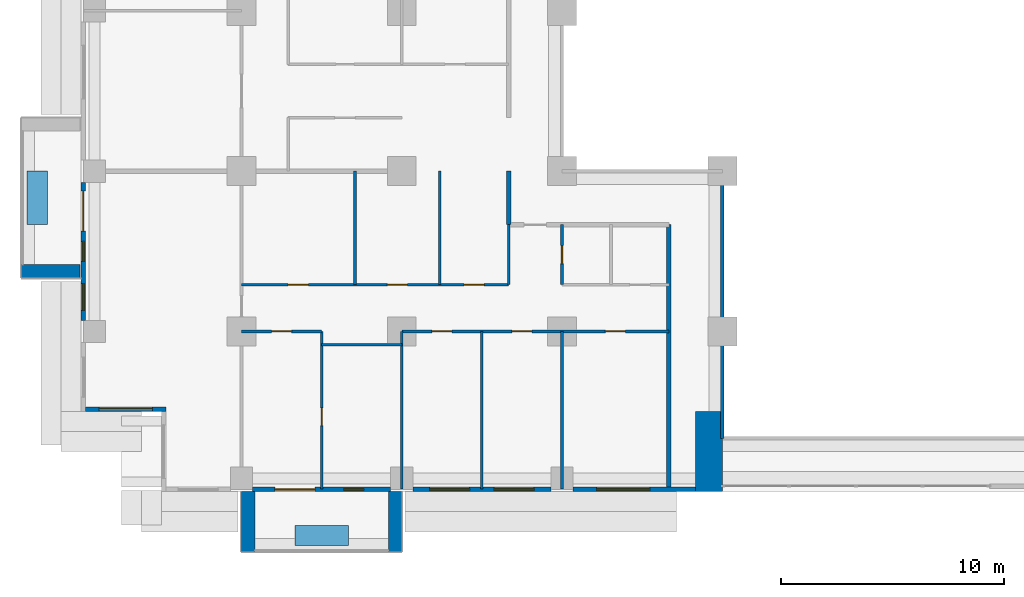
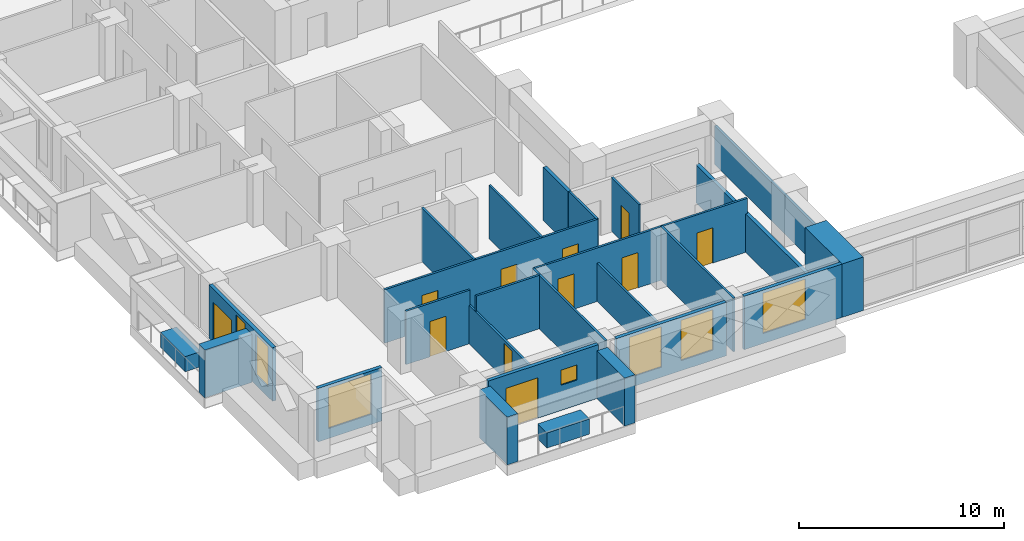
# One storey, part 6 of 17: 26 walls, 11 doors, 7 windows, 18 openings.
"""IFC4 building model written with IfcOpenShell, lengths in metres."""

from ifc_helpers import new_model, si_unit, direction, frame, frame_2d, origin, place, context, subcontext, project, spatial, rectangle, extrude, material, layer, layer_set, type_object, element, fill, save


model = new_model("IFC4")

# Units and contexts
model_context = context("Model", 3, precision=1e-05, world=origin(), true_north=direction((0.0, 1.0)))
body_context = subcontext(model_context, "Body", "Model", "MODEL_VIEW")
ifc_project = project(units=[si_unit("LENGTHUNIT", "METRE"), si_unit("AREAUNIT", "SQUARE_METRE"), si_unit("VOLUMEUNIT", "CUBIC_METRE"), si_unit("PLANEANGLEUNIT", "RADIAN"), si_unit("MASSUNIT", "GRAM", prefix="KILO")], contexts=[model_context])

# Site, building, storey
site_placement = place(None, origin())
site = spatial("IfcSite", under=ifc_project, at=site_placement, CompositionType="ELEMENT")
building_placement = place(site_placement, origin())
building = spatial("IfcBuilding", under=site, at=building_placement, Name="Saffron Iwan Residences", CompositionType="ELEMENT")
storey_placement = place(building_placement, frame((0.0, 0.0, 72.5)))
storey = spatial("IfcBuildingStorey", under=building, at=storey_placement, Name="L18", CompositionType="ELEMENT", Elevation=72.5)

# Walls
ifc_material_1 = material(Name="Fire-rated glazing", Category="glass")
ifc_layer_1 = layer(ifc_material_1, 0.14990234375)
ifc_layer_set_1 = layer_set([ifc_layer_1], Name="Fire-rated glazing")
wall_type_1 = type_object("IfcWallType", Name="Atrium glazed screen 150", PredefinedType="SOLIDWALL", material=ifc_layer_set_1)
wall_1_placement = place(storey_placement, frame((43.199951171875, 36.0, 0.0), z_axis=(0.0, 0.0, 1.0), x_axis=(0.0, 1.0, 0.0)))
element("IfcWall", 1, at=wall_1_placement, inside=storey, type_object=wall_type_1, Name="W-L18-SCREEN-v43.2-36", PredefinedType="SOLIDWALL", context=body_context, shape_type="SweptSolid", body=[
    extrude(rectangle(XDim=12.0, YDim=0.14990234375, at=frame_2d((6.0, 0.0))), origin(), (0.0, 0.0, 1.0), 2.280029296875),
])
ifc_material_2 = material(Name="Concrete C50/60 white painted", Category="concrete")
ifc_layer_2 = layer(ifc_material_2, 0.60009765625)
ifc_layer_set_2 = layer_set([ifc_layer_2], Name="Concrete C50/60 white painted")
wall_type_2 = type_object("IfcWallType", Name="BALCONY FIN 600", PredefinedType="SOLIDWALL", material=ifc_layer_set_2)
wall_2_placement = place(storey_placement, frame((14.35009765625, 43.5, 0.0), z_axis=(0.0, 0.0, 1.0), x_axis=(-1.0, 0.0, 0.0)))
element("IfcWall", 2, at=wall_2_placement, inside=storey, type_object=wall_type_2, Name="Balcony fin L18 F8-1b", PredefinedType="SOLIDWALL", context=body_context, shape_type="SweptSolid", body=[
    extrude(rectangle(XDim=2.650146484375, YDim=0.60009765625, at=frame_2d((1.3251953125, 0.0))), origin(), (0.0, 0.0, 1.0), 2.85009765625),
])
for number, where, z_axis, x_axis, name in (
    (3, (21.89990234375, 33.60009765625, 0.0), (0.0, 0.0, 1.0), (0.0, -1.0, 0.0), "Balcony fin L18 11-0a"),
    (4, (28.5, 33.60009765625, 0.0), (0.0, 0.0, 1.0), (0.0, -1.0, 0.0), "Balcony fin L18 11-0b"),
):
    element("IfcWall", number, at=place(storey_placement, frame(where, z_axis=z_axis, x_axis=x_axis)), inside=storey, type_object=wall_type_2, Name=name, PredefinedType="SOLIDWALL", context=body_context, shape_type="SweptSolid", body=[
        extrude(rectangle(XDim=2.7001953125, YDim=0.60009765625, at=frame_2d((1.35009765625, 0.0))), origin(), (0.0, 0.0, 1.0), 2.85009765625),
    ])
ifc_material_3 = material(Name="Concrete C35/45 white painted", Category="concrete")
ifc_layer_3 = layer(ifc_material_3, 0.14990234375)
ifc_layer_set_3 = layer_set([ifc_layer_3], Name="Concrete C35/45 white painted")
wall_type_3 = type_object("IfcWallType", Name="BALCONY PLANTER", PredefinedType="SOLIDWALL", material=ifc_layer_set_3)
for number, where, z_axis, x_axis, name in (
    (5, (12.425048828125, 48.0, 0.0), (0.0, 0.0, 1.0), (0.0, -1.0, 0.0), "PLANTER L18 F8-1"),
    (6, (24.0, 31.625, 0.0), (0.0, 0.0, 1.0), (1.0, 0.0, 0.0), "PLANTER L18 11-0"),
):
    element("IfcWall", number, at=place(storey_placement, frame(where, z_axis=z_axis, x_axis=x_axis)), inside=storey, type_object=wall_type_3, Name=name, PredefinedType="SOLIDWALL", context=body_context, shape_type="SweptSolid", body=[
        extrude(rectangle(XDim=2.39990234375, YDim=0.89990234375, at=frame_2d((1.199951171875, 0.0))), origin(), (0.0, 0.0, 1.0), 0.89990234375),
    ])

# Wall, openings, door, windows
ifc_material_4 = material(Name="Concrete C40/50", Category="concrete")
ifc_layer_4 = layer(ifc_material_4, 0.199951171875)
ifc_layer_set_4 = layer_set([ifc_layer_4], Name="Concrete C40/50")
wall_type_4 = type_object("IfcWallType", Name="EXTERNAL WALL 200", PredefinedType="SOLIDWALL", material=ifc_layer_set_4)
wall_3_placement = place(storey_placement, frame((14.5, 47.5, 0.0), z_axis=(0.0, 0.0, 1.0), x_axis=(0.0, -1.0, 0.0)))
wall_3 = element("IfcWall", 7, at=wall_3_placement, inside=storey, type_object=wall_type_4, Name="External wall L18 F8.4", PredefinedType="SOLIDWALL", context=body_context, shape_type="SweptSolid", body=[
    extrude(rectangle(XDim=6.199951171875, YDim=0.199951171875, at=frame_2d((3.10009765625, 0.0))), origin(), (0.0, 0.0, 1.0), 3.179931640625),
])
opening_1_placement = place(wall_3_placement, frame((0.39990234375, 0.0, 0.0)))
opening_1 = element("IfcOpeningElement", 8, at=opening_1_placement, cuts=wall_3, Name="Opening BD1", PredefinedType="OPENING", context=body_context, shape_type="SweptSolid", body=[
    extrude(rectangle(XDim=1.800048828125, YDim=2.39990234375, at=frame_2d((0.89990234375, 1.199951171875))), frame((0.0, 0.10986328125, 0.0), z_axis=(0.0, -1.0, 0.0), x_axis=(1.0, 0.0, 0.0)), (0.0, 0.0, 1.0), 0.219970703125),
])
opening_2_placement = place(wall_3_placement, frame((2.64990234375, 0.0, 0.60009765625)))
opening_2 = element("IfcOpeningElement", 9, at=opening_2_placement, cuts=wall_3, Name="Opening W10", PredefinedType="OPENING", context=body_context, shape_type="SweptSolid", body=[
    extrude(rectangle(XDim=0.89990234375, YDim=2.39990234375, at=frame_2d((0.449951171875, 1.199951171875))), frame((0.0, 0.10986328125, 0.0), z_axis=(0.0, -1.0, 0.0), x_axis=(1.0, 0.0, 0.0)), (0.0, 0.0, 1.0), 0.219970703125),
])
opening_3_placement = place(wall_3_placement, frame((4.550048828125, 0.0, 0.60009765625)))
opening_3 = element("IfcOpeningElement", 10, at=opening_3_placement, cuts=wall_3, Name="Opening W3", PredefinedType="OPENING", context=body_context, shape_type="SweptSolid", body=[
    extrude(rectangle(XDim=1.199951171875, YDim=2.39990234375, at=frame_2d((0.60009765625, 1.199951171875))), frame((0.0, 0.10986328125, 0.0), z_axis=(0.0, -1.0, 0.0), x_axis=(1.0, 0.0, 0.0)), (0.0, 0.0, 1.0), 0.219970703125),
])
ifc_material_5 = material(Name="Clear glass, laminated double glazed", Category="glass")
door_type_1 = type_object("IfcDoorType", Name="BALCONY DOOR 1800 x 2400", OperationType="DOUBLE_DOOR_SLIDING", PredefinedType="DOOR", material=ifc_material_5)
door_1_placement = place(opening_1_placement, origin())
door_1 = element("IfcDoor", 11, at=door_1_placement, inside=storey, type_object=door_type_1, Name="Balcony door L18 F8.0", OperationType="DOUBLE_DOOR_SLIDING", OverallHeight=2.39990234375, OverallWidth=1.800048828125, PredefinedType="DOOR", context=body_context, shape_type="SweptSolid", body=[
    extrude(rectangle(XDim=1.800048828125, YDim=2.39990234375, at=frame_2d((0.89990234375, 1.199951171875))), frame((0.0, 0.02490234375, 0.0), z_axis=(0.0, -1.0, 0.0), x_axis=(1.0, 0.0, 0.0)), (0.0, 0.0, 1.0), 0.050048828125),
])
fill(opening_1, door_1)
window_type_1 = type_object("IfcWindowType", Name="WINDOW 1200 x 2400", PartitioningType="SINGLE_PANEL", PredefinedType="WINDOW", material=ifc_material_5)
window_1_placement = place(opening_3_placement, origin())
window_1 = element("IfcWindow", 12, at=window_1_placement, inside=storey, type_object=window_type_1, Name="Window L18 F8.2", OverallHeight=2.39990234375, OverallWidth=1.199951171875, PartitioningType="SINGLE_PANEL", PredefinedType="WINDOW", context=body_context, shape_type="SweptSolid", body=[
    extrude(rectangle(XDim=1.199951171875, YDim=2.39990234375, at=frame_2d((0.60009765625, 1.199951171875))), frame((0.0, 0.030029296875, 0.0), z_axis=(0.0, -1.0, 0.0), x_axis=(1.0, 0.0, 0.0)), (0.0, 0.0, 1.0), 0.06005859375),
])
fill(opening_3, window_1)
window_type_2 = type_object("IfcWindowType", Name="WINDOW 900 x 2400", PartitioningType="SINGLE_PANEL", PredefinedType="WINDOW", material=ifc_material_5)
window_2_placement = place(opening_2_placement, origin())
window_2 = element("IfcWindow", 13, at=window_2_placement, inside=storey, type_object=window_type_2, Name="Window L18 F8.1", OverallHeight=2.39990234375, OverallWidth=0.89990234375, PartitioningType="SINGLE_PANEL", PredefinedType="WINDOW", context=body_context, shape_type="SweptSolid", body=[
    extrude(rectangle(XDim=0.89990234375, YDim=2.39990234375, at=frame_2d((0.449951171875, 1.199951171875))), frame((0.0, 0.030029296875, 0.0), z_axis=(0.0, -1.0, 0.0), x_axis=(1.0, 0.0, 0.0)), (0.0, 0.0, 1.0), 0.06005859375),
])
fill(opening_2, window_2)

# Wall, opening, window
wall_4_placement = place(storey_placement, frame((14.60009765625, 37.300048828125, 0.0), z_axis=(0.0, 0.0, 1.0), x_axis=(1.0, 0.0, 0.0)))
wall_4 = element("IfcWall", 14, at=wall_4_placement, inside=storey, type_object=wall_type_4, Name="External wall L18 F9.0", PredefinedType="SOLIDWALL", context=body_context, shape_type="SweptSolid", body=[
    extrude(rectangle(XDim=3.599853515625, YDim=0.199951171875, at=frame_2d((1.7998046875, 0.0))), origin(), (0.0, 0.0, 1.0), 3.179931640625),
])
opening_4_placement = place(wall_4_placement, frame((0.60009765625, 0.0, 0.60009765625)))
opening_4 = element("IfcOpeningElement", 15, at=opening_4_placement, cuts=wall_4, Name="Opening W1", PredefinedType="OPENING", context=body_context, shape_type="SweptSolid", body=[
    extrude(rectangle(XDim=2.39990234375, YDim=2.39990234375, at=frame_2d((1.199951171875, 1.199951171875))), frame((0.0, 0.10986328125, 0.0), z_axis=(0.0, -1.0, 0.0), x_axis=(1.0, 0.0, 0.0)), (0.0, 0.0, 1.0), 0.219970703125),
])
window_type_3 = type_object("IfcWindowType", Name="WINDOW 2400 x 2400", PartitioningType="DOUBLE_PANEL_VERTICAL", PredefinedType="WINDOW", material=ifc_material_5)
window_3_placement = place(opening_4_placement, origin())
window_3 = element("IfcWindow", 16, at=window_3_placement, inside=storey, type_object=window_type_3, Name="Window L18 F9.0", OverallHeight=2.39990234375, OverallWidth=2.39990234375, PartitioningType="DOUBLE_PANEL_VERTICAL", PredefinedType="WINDOW", context=body_context, shape_type="SweptSolid", body=[
    extrude(rectangle(XDim=2.39990234375, YDim=2.39990234375, at=frame_2d((1.199951171875, 1.199951171875))), frame((0.0, 0.030029296875, 0.0), z_axis=(0.0, -1.0, 0.0), x_axis=(1.0, 0.0, 0.0)), (0.0, 0.0, 1.0), 0.06005859375),
])
fill(opening_4, window_3)

# Wall, openings, door, window
wall_5_placement = place(storey_placement, frame((22.10009765625, 33.699951171875, 0.0), z_axis=(0.0, 0.0, 1.0), x_axis=(1.0, 0.0, 0.0)))
wall_5 = element("IfcWall", 17, at=wall_5_placement, inside=storey, type_object=wall_type_4, Name="External wall L18 F11.1", PredefinedType="SOLIDWALL", context=body_context, shape_type="SweptSolid", body=[
    extrude(rectangle(XDim=6.199951171875, YDim=0.199951171875, at=frame_2d((3.10009765625, 0.0))), origin(), (0.0, 0.0, 1.0), 3.179931640625),
])
opening_5_placement = place(wall_5_placement, frame((1.0, 0.0, 0.0)))
opening_5 = element("IfcOpeningElement", 18, at=opening_5_placement, cuts=wall_5, Name="Opening BD1", PredefinedType="OPENING", context=body_context, shape_type="SweptSolid", body=[
    extrude(rectangle(XDim=1.800048828125, YDim=2.39990234375, at=frame_2d((0.89990234375, 1.199951171875))), frame((0.0, 0.10986328125, 0.0), z_axis=(0.0, -1.0, 0.0), x_axis=(1.0, 0.0, 0.0)), (0.0, 0.0, 1.0), 0.219970703125),
])
opening_6_placement = place(wall_5_placement, frame((4.10009765625, 0.0, 1.5)))
opening_6 = element("IfcOpeningElement", 19, at=opening_6_placement, cuts=wall_5, Name="Opening W6", PredefinedType="OPENING", context=body_context, shape_type="SweptSolid", body=[
    extrude(rectangle(XDim=0.89990234375, YDim=0.89990234375, at=frame_2d((0.449951171875, 0.449951171875))), frame((0.0, 0.10986328125, 0.0), z_axis=(0.0, -1.0, 0.0), x_axis=(1.0, 0.0, 0.0)), (0.0, 0.0, 1.0), 0.219970703125),
])
door_2_placement = place(opening_5_placement, origin())
door_2 = element("IfcDoor", 20, at=door_2_placement, inside=storey, type_object=door_type_1, Name="Balcony door L18 F11.0", OperationType="DOUBLE_DOOR_SLIDING", OverallHeight=2.39990234375, OverallWidth=1.800048828125, PredefinedType="DOOR", context=body_context, shape_type="SweptSolid", body=[
    extrude(rectangle(XDim=1.800048828125, YDim=2.39990234375, at=frame_2d((0.89990234375, 1.199951171875))), frame((0.0, 0.02490234375, 0.0), z_axis=(0.0, -1.0, 0.0), x_axis=(1.0, 0.0, 0.0)), (0.0, 0.0, 1.0), 0.050048828125),
])
fill(opening_5, door_2)
window_type_4 = type_object("IfcWindowType", Name="WINDOW 900 x 900 BATH", PartitioningType="SINGLE_PANEL", PredefinedType="WINDOW", material=ifc_material_5)
window_4_placement = place(opening_6_placement, origin())
window_4 = element("IfcWindow", 21, at=window_4_placement, inside=storey, type_object=window_type_4, Name="Window L18 F11.1", OverallHeight=0.89990234375, OverallWidth=0.89990234375, PartitioningType="SINGLE_PANEL", PredefinedType="WINDOW", context=body_context, shape_type="SweptSolid", body=[
    extrude(rectangle(XDim=0.89990234375, YDim=0.89990234375, at=frame_2d((0.449951171875, 0.449951171875))), frame((0.0, 0.030029296875, 0.0), z_axis=(0.0, -1.0, 0.0), x_axis=(1.0, 0.0, 0.0)), (0.0, 0.0, 1.0), 0.06005859375),
])
fill(opening_6, window_4)

# Wall, openings, windows
wall_6_placement = place(storey_placement, frame((29.300048828125, 33.699951171875, 0.0), z_axis=(0.0, 0.0, 1.0), x_axis=(1.0, 0.0, 0.0)))
wall_6 = element("IfcWall", 22, at=wall_6_placement, inside=storey, type_object=wall_type_4, Name="External wall L18 F11.2", PredefinedType="SOLIDWALL", context=body_context, shape_type="SweptSolid", body=[
    extrude(rectangle(XDim=6.199951171875, YDim=0.199951171875, at=frame_2d((3.10009765625, 0.0))), origin(), (0.0, 0.0, 1.0), 3.179931640625),
])
opening_7_placement = place(wall_6_placement, frame((0.75, 0.0, 0.60009765625)))
opening_7 = element("IfcOpeningElement", 23, at=opening_7_placement, cuts=wall_6, Name="Opening W8", PredefinedType="OPENING", context=body_context, shape_type="SweptSolid", body=[
    extrude(rectangle(XDim=1.800048828125, YDim=2.39990234375, at=frame_2d((0.89990234375, 1.199951171875))), frame((0.0, 0.10986328125, 0.0), z_axis=(0.0, -1.0, 0.0), x_axis=(1.0, 0.0, 0.0)), (0.0, 0.0, 1.0), 0.219970703125),
])
opening_8_placement = place(wall_6_placement, frame((3.64990234375, 0.0, 0.60009765625)))
opening_8 = element("IfcOpeningElement", 24, at=opening_8_placement, cuts=wall_6, Name="Opening W8", PredefinedType="OPENING", context=body_context, shape_type="SweptSolid", body=[
    extrude(rectangle(XDim=1.800048828125, YDim=2.39990234375, at=frame_2d((0.89990234375, 1.199951171875))), frame((0.0, 0.10986328125, 0.0), z_axis=(0.0, -1.0, 0.0), x_axis=(1.0, 0.0, 0.0)), (0.0, 0.0, 1.0), 0.219970703125),
])
window_type_5 = type_object("IfcWindowType", Name="WINDOW 1800 x 2400", PartitioningType="DOUBLE_PANEL_VERTICAL", PredefinedType="WINDOW", material=ifc_material_5)
window_5_placement = place(opening_7_placement, origin())
window_5 = element("IfcWindow", 25, at=window_5_placement, inside=storey, type_object=window_type_5, Name="Window L18 F11.0", OverallHeight=2.39990234375, OverallWidth=1.800048828125, PartitioningType="DOUBLE_PANEL_VERTICAL", PredefinedType="WINDOW", context=body_context, shape_type="SweptSolid", body=[
    extrude(rectangle(XDim=1.800048828125, YDim=2.39990234375, at=frame_2d((0.89990234375, 1.199951171875))), frame((0.0, 0.030029296875, 0.0), z_axis=(0.0, -1.0, 0.0), x_axis=(1.0, 0.0, 0.0)), (0.0, 0.0, 1.0), 0.06005859375),
])
fill(opening_7, window_5)
window_6_placement = place(opening_8_placement, origin())
window_6 = element("IfcWindow", 26, at=window_6_placement, inside=storey, type_object=window_type_5, Name="Window L18 F11.1", OverallHeight=2.39990234375, OverallWidth=1.800048828125, PartitioningType="DOUBLE_PANEL_VERTICAL", PredefinedType="WINDOW", context=body_context, shape_type="SweptSolid", body=[
    extrude(rectangle(XDim=1.800048828125, YDim=2.39990234375, at=frame_2d((0.89990234375, 1.199951171875))), frame((0.0, 0.030029296875, 0.0), z_axis=(0.0, -1.0, 0.0), x_axis=(1.0, 0.0, 0.0)), (0.0, 0.0, 1.0), 0.06005859375),
])
fill(opening_8, window_6)

# Wall, opening, window
wall_7_placement = place(storey_placement, frame((36.5, 33.699951171875, 0.0), z_axis=(0.0, 0.0, 1.0), x_axis=(1.0, 0.0, 0.0)))
wall_7 = element("IfcWall", 27, at=wall_7_placement, inside=storey, type_object=wall_type_4, Name="External wall L18 F11.3", PredefinedType="SOLIDWALL", context=body_context, shape_type="SweptSolid", body=[
    extrude(rectangle(XDim=5.5, YDim=0.199951171875, at=frame_2d((2.75, 0.0))), origin(), (0.0, 0.0, 1.0), 3.179931640625),
])
opening_9_placement = place(wall_7_placement, frame((1.050048828125, 0.0, 0.60009765625)))
opening_9 = element("IfcOpeningElement", 28, at=opening_9_placement, cuts=wall_7, Name="Opening W1", PredefinedType="OPENING", context=body_context, shape_type="SweptSolid", body=[
    extrude(rectangle(XDim=2.39990234375, YDim=2.39990234375, at=frame_2d((1.199951171875, 1.199951171875))), frame((0.0, 0.10986328125, 0.0), z_axis=(0.0, -1.0, 0.0), x_axis=(1.0, 0.0, 0.0)), (0.0, 0.0, 1.0), 0.219970703125),
])
window_7_placement = place(opening_9_placement, origin())
window_7 = element("IfcWindow", 29, at=window_7_placement, inside=storey, type_object=window_type_3, Name="Window L18 F11.0", OverallHeight=2.39990234375, OverallWidth=2.39990234375, PartitioningType="DOUBLE_PANEL_VERTICAL", PredefinedType="WINDOW", context=body_context, shape_type="SweptSolid", body=[
    extrude(rectangle(XDim=2.39990234375, YDim=2.39990234375, at=frame_2d((1.199951171875, 1.199951171875))), frame((0.0, 0.030029296875, 0.0), z_axis=(0.0, -1.0, 0.0), x_axis=(1.0, 0.0, 0.0)), (0.0, 0.0, 1.0), 0.06005859375),
])
fill(opening_9, window_7)

# Wall
ifc_material_6 = material(Name="Gypsum board partition")
ifc_layer_5 = layer(ifc_material_6, 0.1201171875)
ifc_layer_set_5 = layer_set([ifc_layer_5], Name="Gypsum board partition")
wall_type_5 = type_object("IfcWallType", Name="Flat partition 120", PredefinedType="PARTITIONING", material=ifc_layer_set_5)
wall_8_placement = place(storey_placement, frame((25.199951171875, 40.199951171875, 0.0), z_axis=(0.0, 0.0, 1.0), x_axis=(1.0, 0.0, 0.0)))
element("IfcWall", 30, at=wall_8_placement, inside=storey, type_object=wall_type_5, Name="W-L18-PART-h40.2-25.2", PredefinedType="PARTITIONING", context=body_context, shape_type="SweptSolid", body=[
    extrude(rectangle(XDim=3.60009765625, YDim=0.1201171875, at=frame_2d((1.800048828125, 0.0))), origin(), (0.0, 0.0, 1.0), 3.179931640625),
])

# Wall, opening, door
wall_9_placement = place(storey_placement, frame((21.60009765625, 40.800048828125, 0.0), z_axis=(0.0, 0.0, 1.0), x_axis=(1.0, 0.0, 0.0)))
wall_9 = element("IfcWall", 31, at=wall_9_placement, inside=storey, type_object=wall_type_5, Name="W-L18-PART-h40.8-21.6", PredefinedType="PARTITIONING", context=body_context, shape_type="SweptSolid", body=[
    extrude(rectangle(XDim=3.599853515625, YDim=0.1201171875, at=frame_2d((1.7998046875, 0.0))), origin(), (0.0, 0.0, 1.0), 3.179931640625),
])
opening_10_placement = place(wall_9_placement, frame((1.35009765625, 0.0, 0.0)))
opening_10 = element("IfcOpeningElement", 32, at=opening_10_placement, cuts=wall_9, Name="Opening FD2", PredefinedType="OPENING", context=body_context, shape_type="SweptSolid", body=[
    extrude(rectangle(XDim=0.89990234375, YDim=2.10009765625, at=frame_2d((0.449951171875, 1.050048828125))), frame((0.0, 0.070068359375, 0.0), z_axis=(0.0, -1.0, 0.0), x_axis=(1.0, 0.0, 0.0)), (0.0, 0.0, 1.0), 0.14013671875),
])
ifc_material_7 = material(Name="Timber door", Category="wood")
door_type_2 = type_object("IfcDoorType", Name="Flat door 900", OperationType="NOTDEFINED", PredefinedType="DOOR", material=ifc_material_7)
door_3_placement = place(opening_10_placement, origin())
door_3 = element("IfcDoor", 33, at=door_3_placement, inside=storey, type_object=door_type_2, Name="Door L18-003", OperationType="SINGLE_SWING_LEFT", OverallHeight=2.10009765625, OverallWidth=0.89990234375, PredefinedType="DOOR", context=body_context, shape_type="SweptSolid", body=[
    extrude(rectangle(XDim=0.89990234375, YDim=2.10009765625, at=frame_2d((0.449951171875, 1.050048828125))), frame((0.0, 0.02490234375, 0.0), z_axis=(0.0, -1.0, 0.0), x_axis=(1.0, 0.0, 0.0)), (0.0, 0.0, 1.0), 0.050048828125),
])
fill(opening_10, door_3)

# Wall, openings, doors
wall_10_placement = place(storey_placement, frame((28.800048828125, 40.800048828125, 0.0), z_axis=(0.0, 0.0, 1.0), x_axis=(1.0, 0.0, 0.0)))
wall_10 = element("IfcWall", 34, at=wall_10_placement, inside=storey, type_object=wall_type_5, Name="W-L18-PART-h40.8-28.8", PredefinedType="PARTITIONING", context=body_context, shape_type="SweptSolid", body=[
    extrude(rectangle(XDim=12.0, YDim=0.1201171875, at=frame_2d((6.0, 0.0))), origin(), (0.0, 0.0, 1.0), 3.179931640625),
])
opening_11_placement = place(wall_10_placement, frame((1.35009765625, 0.0, 0.0)))
opening_11 = element("IfcOpeningElement", 35, at=opening_11_placement, cuts=wall_10, Name="Opening FD2", PredefinedType="OPENING", context=body_context, shape_type="SweptSolid", body=[
    extrude(rectangle(XDim=0.89990234375, YDim=2.10009765625, at=frame_2d((0.449951171875, 1.050048828125))), frame((0.0, 0.070068359375, 0.0), z_axis=(0.0, -1.0, 0.0), x_axis=(1.0, 0.0, 0.0)), (0.0, 0.0, 1.0), 0.14013671875),
])
opening_12_placement = place(wall_10_placement, frame((4.949951171875, 0.0, 0.0)))
opening_12 = element("IfcOpeningElement", 36, at=opening_12_placement, cuts=wall_10, Name="Opening FD2", PredefinedType="OPENING", context=body_context, shape_type="SweptSolid", body=[
    extrude(rectangle(XDim=0.89990234375, YDim=2.10009765625, at=frame_2d((0.449951171875, 1.050048828125))), frame((0.0, 0.070068359375, 0.0), z_axis=(0.0, -1.0, 0.0), x_axis=(1.0, 0.0, 0.0)), (0.0, 0.0, 1.0), 0.14013671875),
])
opening_13_placement = place(wall_10_placement, frame((9.14990234375, 0.0, 0.0)))
opening_13 = element("IfcOpeningElement", 37, at=opening_13_placement, cuts=wall_10, Name="Opening FD2", PredefinedType="OPENING", context=body_context, shape_type="SweptSolid", body=[
    extrude(rectangle(XDim=0.89990234375, YDim=2.10009765625, at=frame_2d((0.449951171875, 1.050048828125))), frame((0.0, 0.070068359375, 0.0), z_axis=(0.0, -1.0, 0.0), x_axis=(1.0, 0.0, 0.0)), (0.0, 0.0, 1.0), 0.14013671875),
])
door_4_placement = place(opening_11_placement, origin())
door_4 = element("IfcDoor", 38, at=door_4_placement, inside=storey, type_object=door_type_2, Name="Door L18-005", OperationType="SINGLE_SWING_LEFT", OverallHeight=2.10009765625, OverallWidth=0.89990234375, PredefinedType="DOOR", context=body_context, shape_type="SweptSolid", body=[
    extrude(rectangle(XDim=0.89990234375, YDim=2.10009765625, at=frame_2d((0.449951171875, 1.050048828125))), frame((0.0, 0.02490234375, 0.0), z_axis=(0.0, -1.0, 0.0), x_axis=(1.0, 0.0, 0.0)), (0.0, 0.0, 1.0), 0.050048828125),
])
fill(opening_11, door_4)
door_5_placement = place(opening_12_placement, origin())
door_5 = element("IfcDoor", 39, at=door_5_placement, inside=storey, type_object=door_type_2, Name="Door L18-006", OperationType="SINGLE_SWING_LEFT", OverallHeight=2.10009765625, OverallWidth=0.89990234375, PredefinedType="DOOR", context=body_context, shape_type="SweptSolid", body=[
    extrude(rectangle(XDim=0.89990234375, YDim=2.10009765625, at=frame_2d((0.449951171875, 1.050048828125))), frame((0.0, 0.02490234375, 0.0), z_axis=(0.0, -1.0, 0.0), x_axis=(1.0, 0.0, 0.0)), (0.0, 0.0, 1.0), 0.050048828125),
])
fill(opening_12, door_5)
door_6_placement = place(opening_13_placement, origin())
door_6 = element("IfcDoor", 40, at=door_6_placement, inside=storey, type_object=door_type_2, Name="Door L18-007", OperationType="SINGLE_SWING_RIGHT", OverallHeight=2.10009765625, OverallWidth=0.89990234375, PredefinedType="DOOR", context=body_context, shape_type="SweptSolid", body=[
    extrude(rectangle(XDim=0.89990234375, YDim=2.10009765625, at=frame_2d((0.449951171875, 1.050048828125))), frame((0.0, 0.02490234375, 0.0), z_axis=(0.0, -1.0, 0.0), x_axis=(1.0, 0.0, 0.0)), (0.0, 0.0, 1.0), 0.050048828125),
])
fill(opening_13, door_6)

wall_11_placement = place(storey_placement, frame((21.60009765625, 42.89990234375, 0.0), z_axis=(0.0, 0.0, 1.0), x_axis=(1.0, 0.0, 0.0)))
wall_11 = element("IfcWall", 41, at=wall_11_placement, inside=storey, type_object=wall_type_5, Name="W-L18-PART-h42.9-21.6", PredefinedType="PARTITIONING", context=body_context, shape_type="SweptSolid", body=[
    extrude(rectangle(XDim=12.0, YDim=0.1201171875, at=frame_2d((6.0, 0.0))), origin(), (0.0, 0.0, 1.0), 3.179931640625),
])
opening_14_placement = place(wall_11_placement, frame((2.10009765625, 0.0, 0.0)))
opening_14 = element("IfcOpeningElement", 42, at=opening_14_placement, cuts=wall_11, Name="Opening FD2", PredefinedType="OPENING", context=body_context, shape_type="SweptSolid", body=[
    extrude(rectangle(XDim=0.89990234375, YDim=2.10009765625, at=frame_2d((0.449951171875, 1.050048828125))), frame((0.0, 0.070068359375, 0.0), z_axis=(0.0, -1.0, 0.0), x_axis=(1.0, 0.0, 0.0)), (0.0, 0.0, 1.0), 0.14013671875),
])
opening_15_placement = place(wall_11_placement, frame((6.550048828125, 0.0, 0.0)))
opening_15 = element("IfcOpeningElement", 43, at=opening_15_placement, cuts=wall_11, Name="Opening FD2", PredefinedType="OPENING", context=body_context, shape_type="SweptSolid", body=[
    extrude(rectangle(XDim=0.89990234375, YDim=2.10009765625, at=frame_2d((0.449951171875, 1.050048828125))), frame((0.0, 0.070068359375, 0.0), z_axis=(0.0, -1.0, 0.0), x_axis=(1.0, 0.0, 0.0)), (0.0, 0.0, 1.0), 0.14013671875),
])
opening_16_placement = place(wall_11_placement, frame((10.0, 0.0, 0.0)))
opening_16 = element("IfcOpeningElement", 44, at=opening_16_placement, cuts=wall_11, Name="Opening FD2", PredefinedType="OPENING", context=body_context, shape_type="SweptSolid", body=[
    extrude(rectangle(XDim=0.89990234375, YDim=2.10009765625, at=frame_2d((0.449951171875, 1.050048828125))), frame((0.0, 0.070068359375, 0.0), z_axis=(0.0, -1.0, 0.0), x_axis=(1.0, 0.0, 0.0)), (0.0, 0.0, 1.0), 0.14013671875),
])
door_7_placement = place(opening_14_placement, origin())
door_7 = element("IfcDoor", 45, at=door_7_placement, inside=storey, type_object=door_type_2, Name="Door L18-008", OperationType="SINGLE_SWING_LEFT", OverallHeight=2.10009765625, OverallWidth=0.89990234375, PredefinedType="DOOR", context=body_context, shape_type="SweptSolid", body=[
    extrude(rectangle(XDim=0.89990234375, YDim=2.10009765625, at=frame_2d((0.449951171875, 1.050048828125))), frame((0.0, 0.02490234375, 0.0), z_axis=(0.0, -1.0, 0.0), x_axis=(1.0, 0.0, 0.0)), (0.0, 0.0, 1.0), 0.050048828125),
])
fill(opening_14, door_7)
door_8_placement = place(opening_15_placement, origin())
door_8 = element("IfcDoor", 46, at=door_8_placement, inside=storey, type_object=door_type_2, Name="Door L18-009", OperationType="SINGLE_SWING_LEFT", OverallHeight=2.10009765625, OverallWidth=0.89990234375, PredefinedType="DOOR", context=body_context, shape_type="SweptSolid", body=[
    extrude(rectangle(XDim=0.89990234375, YDim=2.10009765625, at=frame_2d((0.449951171875, 1.050048828125))), frame((0.0, 0.02490234375, 0.0), z_axis=(0.0, -1.0, 0.0), x_axis=(1.0, 0.0, 0.0)), (0.0, 0.0, 1.0), 0.050048828125),
])
fill(opening_15, door_8)
door_9_placement = place(opening_16_placement, origin())
door_9 = element("IfcDoor", 47, at=door_9_placement, inside=storey, type_object=door_type_2, Name="Door L18-010", OperationType="SINGLE_SWING_RIGHT", OverallHeight=2.10009765625, OverallWidth=0.89990234375, PredefinedType="DOOR", context=body_context, shape_type="SweptSolid", body=[
    extrude(rectangle(XDim=0.89990234375, YDim=2.10009765625, at=frame_2d((0.449951171875, 1.050048828125))), frame((0.0, 0.02490234375, 0.0), z_axis=(0.0, -1.0, 0.0), x_axis=(1.0, 0.0, 0.0)), (0.0, 0.0, 1.0), 0.050048828125),
])
fill(opening_16, door_9)

# Wall, opening, door
wall_12_placement = place(storey_placement, frame((25.199951171875, 33.72509765625, 0.0), z_axis=(0.0, 0.0, 1.0), x_axis=(0.0, 1.0, 0.0)))
wall_12 = element("IfcWall", 48, at=wall_12_placement, inside=storey, type_object=wall_type_5, Name="W-L18-PART-v25.2-33.725", PredefinedType="PARTITIONING", context=body_context, shape_type="SweptSolid", body=[
    extrude(rectangle(XDim=7.074951171875, YDim=0.1201171875, at=frame_2d((3.53759765625, 0.0))), origin(), (0.0, 0.0, 1.0), 2.280029296875),
])
opening_17_placement = place(wall_12_placement, frame((2.83740234375, 0.0, 0.0)))
opening_17 = element("IfcOpeningElement", 49, at=opening_17_placement, cuts=wall_12, Name="Opening FD3", PredefinedType="OPENING", context=body_context, shape_type="SweptSolid", body=[
    extrude(rectangle(XDim=0.800048828125, YDim=2.10009765625, at=frame_2d((0.39990234375, 1.050048828125))), frame((0.0, 0.070068359375, 0.0), z_axis=(0.0, -1.0, 0.0), x_axis=(1.0, 0.0, 0.0)), (0.0, 0.0, 1.0), 0.14013671875),
])
door_type_3 = type_object("IfcDoorType", Name="Bathroom door 800", OperationType="NOTDEFINED", PredefinedType="DOOR", material=ifc_material_7)
door_10_placement = place(opening_17_placement, origin())
door_10 = element("IfcDoor", 50, at=door_10_placement, inside=storey, type_object=door_type_3, Name="Door L18-004", OperationType="SINGLE_SWING_RIGHT", OverallHeight=2.10009765625, OverallWidth=0.800048828125, PredefinedType="DOOR", context=body_context, shape_type="SweptSolid", body=[
    extrude(rectangle(XDim=0.800048828125, YDim=2.10009765625, at=frame_2d((0.39990234375, 1.050048828125))), frame((0.0, 0.02490234375, 0.0), z_axis=(0.0, -1.0, 0.0), x_axis=(1.0, 0.0, 0.0)), (0.0, 0.0, 1.0), 0.050048828125),
])
fill(opening_17, door_10)

# Walls
wall_13_placement = place(storey_placement, frame((26.699951171875, 42.89990234375, 0.0), z_axis=(0.0, 0.0, 1.0), x_axis=(0.0, 1.0, 0.0)))
element("IfcWall", 51, at=wall_13_placement, inside=storey, type_object=wall_type_5, Name="W-L18-PART-v26.7-42.9", PredefinedType="PARTITIONING", context=body_context, shape_type="SweptSolid", body=[
    extrude(rectangle(XDim=5.10009765625, YDim=0.1201171875, at=frame_2d((2.550048828125, 0.0))), origin(), (0.0, 0.0, 1.0), 3.179931640625),
])
wall_14_placement = place(storey_placement, frame((28.800048828125, 33.72509765625, 0.0), z_axis=(0.0, 0.0, 1.0), x_axis=(0.0, 1.0, 0.0)))
element("IfcWall", 52, at=wall_14_placement, inside=storey, type_object=wall_type_5, Name="W-L18-PART-v28.8-33.725", PredefinedType="PARTITIONING", context=body_context, shape_type="SweptSolid", body=[
    extrude(rectangle(XDim=7.074951171875, YDim=0.1201171875, at=frame_2d((3.53759765625, 0.0))), origin(), (0.0, 0.0, 1.0), 3.179931640625),
])
wall_15_placement = place(storey_placement, frame((30.5, 42.89990234375, 0.0), z_axis=(0.0, 0.0, 1.0), x_axis=(0.0, 1.0, 0.0)))
element("IfcWall", 53, at=wall_15_placement, inside=storey, type_object=wall_type_5, Name="W-L18-PART-v30.5-42.9", PredefinedType="PARTITIONING", context=body_context, shape_type="SweptSolid", body=[
    extrude(rectangle(XDim=5.10009765625, YDim=0.1201171875, at=frame_2d((2.550048828125, 0.0))), origin(), (0.0, 0.0, 1.0), 3.179931640625),
])
wall_16_placement = place(storey_placement, frame((32.39990234375, 33.72509765625, 0.0), z_axis=(0.0, 0.0, 1.0), x_axis=(0.0, 1.0, 0.0)))
element("IfcWall", 54, at=wall_16_placement, inside=storey, type_object=wall_type_5, Name="W-L18-PART-v32.4-33.725", PredefinedType="PARTITIONING", context=body_context, shape_type="SweptSolid", body=[
    extrude(rectangle(XDim=7.074951171875, YDim=0.1201171875, at=frame_2d((3.53759765625, 0.0))), origin(), (0.0, 0.0, 1.0), 2.280029296875),
])
wall_17_placement = place(storey_placement, frame((33.60009765625, 42.89990234375, 0.0), z_axis=(0.0, 0.0, 1.0), x_axis=(0.0, 1.0, 0.0)))
element("IfcWall", 55, at=wall_17_placement, inside=storey, type_object=wall_type_5, Name="W-L18-PART-v33.6-42.9", PredefinedType="PARTITIONING", context=body_context, shape_type="SweptSolid", body=[
    extrude(rectangle(XDim=2.7001953125, YDim=0.1201171875, at=frame_2d((1.35009765625, 0.0))), origin(), (0.0, 0.0, 1.0), 3.179931640625),
])
wall_18_placement = place(storey_placement, frame((36.0, 33.72509765625, 0.0), z_axis=(0.0, 0.0, 1.0), x_axis=(0.0, 1.0, 0.0)))
element("IfcWall", 56, at=wall_18_placement, inside=storey, type_object=wall_type_5, Name="W-L18-PART-v36-33.725", PredefinedType="PARTITIONING", context=body_context, shape_type="SweptSolid", body=[
    extrude(rectangle(XDim=7.074951171875, YDim=0.1201171875, at=frame_2d((3.53759765625, 0.0))), origin(), (0.0, 0.0, 1.0), 3.179931640625),
])

# Wall, opening, door
wall_19_placement = place(storey_placement, frame((36.0, 42.89990234375, 0.0), z_axis=(0.0, 0.0, 1.0), x_axis=(0.0, 1.0, 0.0)))
wall_19 = element("IfcWall", 57, at=wall_19_placement, inside=storey, type_object=wall_type_5, Name="W-L18-PART-v36-42.9", PredefinedType="PARTITIONING", context=body_context, shape_type="SweptSolid", body=[
    extrude(rectangle(XDim=2.7001953125, YDim=0.1201171875, at=frame_2d((1.35009765625, 0.0))), origin(), (0.0, 0.0, 1.0), 3.179931640625),
])
opening_18_placement = place(wall_19_placement, frame((0.949951171875, 0.0, 0.0)))
opening_18 = element("IfcOpeningElement", 58, at=opening_18_placement, cuts=wall_19, Name="Opening FD3", PredefinedType="OPENING", context=body_context, shape_type="SweptSolid", body=[
    extrude(rectangle(XDim=0.800048828125, YDim=2.10009765625, at=frame_2d((0.39990234375, 1.050048828125))), frame((0.0, 0.070068359375, 0.0), z_axis=(0.0, -1.0, 0.0), x_axis=(1.0, 0.0, 0.0)), (0.0, 0.0, 1.0), 0.14013671875),
])
door_11_placement = place(opening_18_placement, origin())
door_11 = element("IfcDoor", 59, at=door_11_placement, inside=storey, type_object=door_type_3, Name="Door L18-011", OperationType="SINGLE_SWING_LEFT", OverallHeight=2.10009765625, OverallWidth=0.800048828125, PredefinedType="DOOR", context=body_context, shape_type="SweptSolid", body=[
    extrude(rectangle(XDim=0.800048828125, YDim=2.10009765625, at=frame_2d((0.39990234375, 1.050048828125))), frame((0.0, 0.02490234375, 0.0), z_axis=(0.0, -1.0, 0.0), x_axis=(1.0, 0.0, 0.0)), (0.0, 0.0, 1.0), 0.050048828125),
])
fill(opening_18, door_11)

# Walls
ifc_material_8 = material(Name="Fire-rated gypsum board wall")
ifc_layer_6 = layer(ifc_material_8, 0.199951171875)
ifc_layer_set_6 = layer_set([ifc_layer_6], Name="Fire-rated gypsum board wall")
wall_type_6 = type_object("IfcWallType", Name="Gallery wall 200", PredefinedType="SOLIDWALL", material=ifc_layer_set_6)
wall_20_placement = place(storey_placement, frame((33.60009765625, 45.60009765625, 0.0), z_axis=(0.0, 0.0, 1.0), x_axis=(0.0, 1.0, 0.0)))
element("IfcWall", 60, at=wall_20_placement, inside=storey, type_object=wall_type_6, Name="W-L18-CORR-v33.6-45.6", PredefinedType="SOLIDWALL", context=body_context, shape_type="SweptSolid", body=[
    extrude(rectangle(XDim=2.39990234375, YDim=0.199951171875, at=frame_2d((1.199951171875, 0.0))), origin(), (0.0, 0.0, 1.0), 3.179931640625),
])
wall_21_placement = place(storey_placement, frame((40.800048828125, 33.72509765625, 0.0), z_axis=(0.0, 0.0, 1.0), x_axis=(0.0, 1.0, 0.0)))
element("IfcWall", 61, at=wall_21_placement, inside=storey, type_object=wall_type_6, Name="W-L18-CORR-v40.8-33.725", PredefinedType="SOLIDWALL", context=body_context, shape_type="SweptSolid", body=[
    extrude(rectangle(XDim=11.875, YDim=0.199951171875, at=frame_2d((5.9375, 0.0))), origin(), (0.0, 0.0, 1.0), 2.280029296875),
])
ifc_material_9 = material(Name="Concrete C60/75", Category="concrete")
ifc_layer_7 = layer(ifc_material_9, 1.199951171875)
ifc_layer_set_7 = layer_set([ifc_layer_7], Name="Concrete C60/75")
wall_type_7 = type_object("IfcWallType", Name="WALL IWAN PIER 1200 C60/75 3180 HIGH", PredefinedType="SHEAR", material=ifc_layer_set_7)
wall_22_placement = place(storey_placement, frame((42.60009765625, 33.60009765625, 0.0), z_axis=(0.0, 0.0, 1.0), x_axis=(0.0, 1.0, 0.0)))
element("IfcWall", 62, at=wall_22_placement, inside=storey, type_object=wall_type_7, Name="IWAN PIER", PredefinedType="SHEAR", context=body_context, shape_type="SweptSolid", body=[
    extrude(rectangle(XDim=3.599853515625, YDim=1.199951171875, at=frame_2d((1.7998046875, 0.0))), origin(), (0.0, 0.0, 1.0), 3.179931640625),
])

save(model, "model.ifc")
